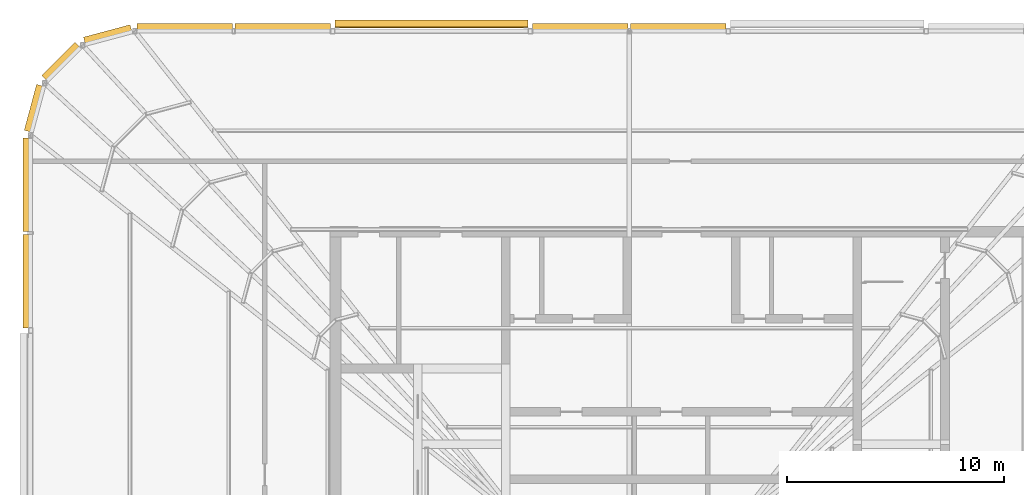
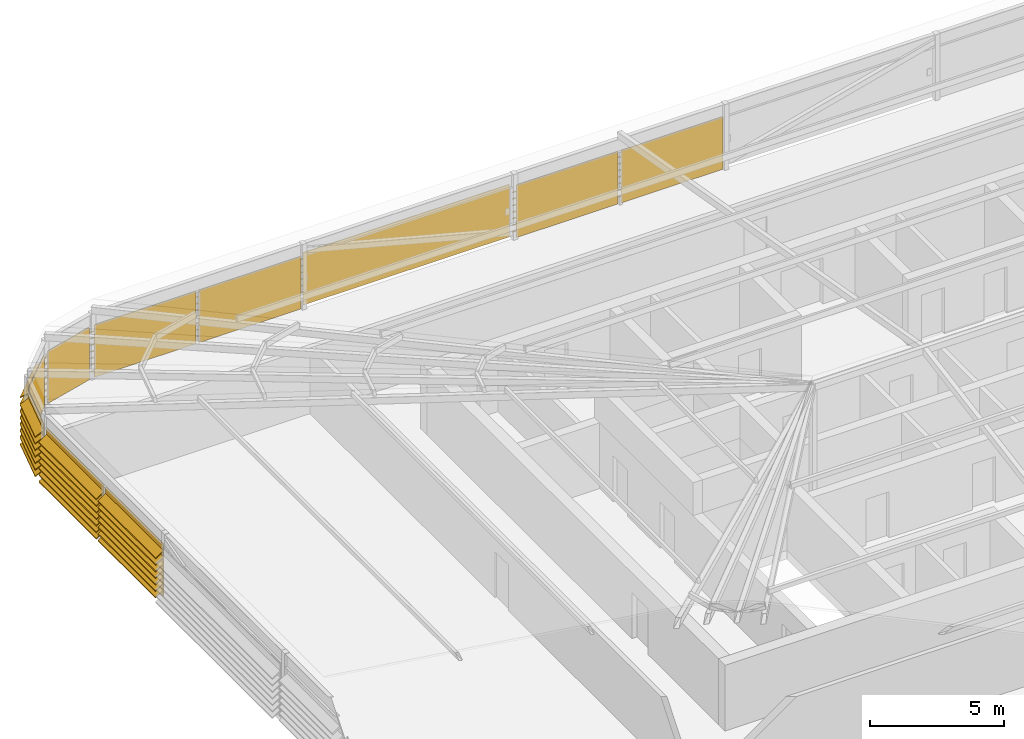
# One storey, part 45 of 46: 10 shading devices.
"""IFC4 building model written with IfcOpenShell, lengths in metres."""

from ifc_helpers import new_model, si_unit, direction, frame, origin, place, context, subcontext, project, spatial, polyline, outline, extrude, material, type_object, element, save


model = new_model("IFC4")

# Units and contexts
model_context = context("Model", 3, precision=1e-05, world=origin(), true_north=direction((0.0, 1.0)))
body_context = subcontext(model_context, "Body", "Model", "MODEL_VIEW")
ifc_project = project(units=[si_unit("LENGTHUNIT", "METRE"), si_unit("AREAUNIT", "SQUARE_METRE"), si_unit("VOLUMEUNIT", "CUBIC_METRE"), si_unit("PLANEANGLEUNIT", "RADIAN"), si_unit("MASSUNIT", "GRAM", prefix="KILO")], contexts=[model_context])

# Site, building, storey
site_placement = place(None, origin())
site = spatial("IfcSite", under=ifc_project, at=site_placement, CompositionType="ELEMENT")
building_placement = place(site_placement, origin())
building = spatial("IfcBuilding", under=site, at=building_placement, Name="Madar Terraces", CompositionType="ELEMENT")
storey_placement = place(building_placement, frame((0.0, 0.0, 317.300048828125)))
storey = spatial("IfcBuildingStorey", under=building, at=storey_placement, Name="L82", CompositionType="ELEMENT", Elevation=317.300048828125)

# Shading devices
ifc_material = material(Name="Aluminium, black anodised", Category="aluminium")
shading_device_type = type_object("IfcShadingDeviceType", Name="Crown louvre bank", PredefinedType="USERDEFINED", material=ifc_material)
shading_device_1_placement = place(storey_placement, frame((33.25830078125, 46.800048828125, 0.0), z_axis=(-1.0, 0.0, 0.0), x_axis=(0.0, -1.0, 0.0)))
element("IfcShadingDevice", 1, at=shading_device_1_placement, inside=storey, type_object=shading_device_type, Name="LOUVRE bank L82 18.1", ObjectType="LOUVRE", PredefinedType="USERDEFINED", context=body_context, shape_type="SweptSolid", body=[
    extrude(outline(polyline([(0.014892578125, 0.0), (-0.014892578125, 0.0), (-0.014892578125, 0.24951171875), (-0.3427734375, 0.02001953125), (-0.3427734375, 0.06884765625), (-0.014892578125, 0.29833984375), (-0.014892578125, 0.54931640625), (-0.3427734375, 0.320068359375), (-0.3427734375, 0.368896484375), (-0.014892578125, 0.59814453125), (-0.014892578125, 0.849365234375), (-0.3427734375, 0.6201171875), (-0.3427734375, 0.6689453125), (-0.014892578125, 0.898193359375), (-0.014892578125, 1.1494140625), (-0.3427734375, 0.919921875), (-0.3427734375, 0.96875), (-0.014892578125, 1.1982421875), (-0.014892578125, 1.449462890625), (-0.3427734375, 1.219970703125), (-0.3427734375, 1.268798828125), (-0.014892578125, 1.498291015625), (-0.014892578125, 1.74951171875), (-0.3427734375, 1.52001953125), (-0.3427734375, 1.56884765625), (-0.014892578125, 1.79833984375), (-0.014892578125, 2.04931640625), (-0.3427734375, 1.820068359375), (-0.3427734375, 1.868896484375), (-0.014892578125, 2.09814453125), (-0.014892578125, 2.39794921875), (0.014892578125, 2.39794921875), (0.014892578125, 0.0)])), origin(), (0.0, 0.0, 1.0), 4.394775390625),
])
shading_device_2_placement = place(storey_placement, frame((28.736572265625, 46.800048828125, 0.0), z_axis=(-1.0, 0.0, 0.0), x_axis=(0.0, -1.0, 0.0)))
element("IfcShadingDevice", 2, at=shading_device_2_placement, inside=storey, type_object=shading_device_type, Name="LOUVRE bank L82 18.2", ObjectType="LOUVRE", PredefinedType="USERDEFINED", context=body_context, shape_type="SweptSolid", body=[
    extrude(outline(polyline([(0.014892578125, 0.0), (-0.014892578125, 0.0), (-0.014892578125, 0.24951171875), (-0.3427734375, 0.02001953125), (-0.3427734375, 0.06884765625), (-0.014892578125, 0.29833984375), (-0.014892578125, 0.54931640625), (-0.3427734375, 0.320068359375), (-0.3427734375, 0.368896484375), (-0.014892578125, 0.59814453125), (-0.014892578125, 0.849365234375), (-0.3427734375, 0.6201171875), (-0.3427734375, 0.6689453125), (-0.014892578125, 0.898193359375), (-0.014892578125, 1.1494140625), (-0.3427734375, 0.919921875), (-0.3427734375, 0.96875), (-0.014892578125, 1.1982421875), (-0.014892578125, 1.449462890625), (-0.3427734375, 1.219970703125), (-0.3427734375, 1.268798828125), (-0.014892578125, 1.498291015625), (-0.014892578125, 1.74951171875), (-0.3427734375, 1.52001953125), (-0.3427734375, 1.56884765625), (-0.014892578125, 1.79833984375), (-0.014892578125, 2.04931640625), (-0.3427734375, 1.820068359375), (-0.3427734375, 1.868896484375), (-0.014892578125, 2.09814453125), (-0.014892578125, 2.39794921875), (0.014892578125, 2.39794921875), (0.014892578125, 0.0)])), origin(), (0.0, 0.0, 1.0), 4.39501953125),
])
shading_device_3_placement = place(storey_placement, frame((24.138427734375, 46.800048828125, 0.0), z_axis=(-1.0, 0.0, 0.0), x_axis=(0.0, -1.0, 0.0)))
element("IfcShadingDevice", 3, at=shading_device_3_placement, inside=storey, type_object=shading_device_type, Name="LOUVRE bank L82 19.1", ObjectType="LOUVRE", PredefinedType="USERDEFINED", context=body_context, shape_type="SweptSolid", body=[
    extrude(outline(polyline([(-0.156982421875, 0.0), (-0.18701171875, 0.0), (-0.18701171875, 0.24951171875), (-0.5146484375, 0.02001953125), (-0.5146484375, 0.06884765625), (-0.18701171875, 0.29833984375), (-0.18701171875, 0.54931640625), (-0.5146484375, 0.320068359375), (-0.5146484375, 0.368896484375), (-0.18701171875, 0.59814453125), (-0.18701171875, 0.849365234375), (-0.5146484375, 0.6201171875), (-0.5146484375, 0.6689453125), (-0.18701171875, 0.898193359375), (-0.18701171875, 1.1494140625), (-0.5146484375, 0.919921875), (-0.5146484375, 0.96875), (-0.18701171875, 1.1982421875), (-0.18701171875, 1.449462890625), (-0.5146484375, 1.219970703125), (-0.5146484375, 1.268798828125), (-0.18701171875, 1.498291015625), (-0.18701171875, 1.74951171875), (-0.5146484375, 1.52001953125), (-0.5146484375, 1.56884765625), (-0.18701171875, 1.79833984375), (-0.18701171875, 2.04931640625), (-0.5146484375, 1.820068359375), (-0.5146484375, 1.868896484375), (-0.18701171875, 2.09814453125), (-0.18701171875, 2.39794921875), (-0.156982421875, 2.39794921875), (-0.156982421875, 0.0)])), origin(), (0.0, 0.0, 1.0), 8.916748046875),
])
shading_device_4_placement = place(storey_placement, frame((15.018310546875, 46.800048828125, 0.0), z_axis=(-1.0, 0.0, 0.0), x_axis=(0.0, -1.0, 0.0)))
element("IfcShadingDevice", 4, at=shading_device_4_placement, inside=storey, type_object=shading_device_type, Name="LOUVRE bank L82 20.1", ObjectType="LOUVRE", PredefinedType="USERDEFINED", context=body_context, shape_type="SweptSolid", body=[
    extrude(outline(polyline([(0.014892578125, 0.0), (-0.014892578125, 0.0), (-0.014892578125, 0.24951171875), (-0.3427734375, 0.02001953125), (-0.3427734375, 0.06884765625), (-0.014892578125, 0.29833984375), (-0.014892578125, 0.54931640625), (-0.3427734375, 0.320068359375), (-0.3427734375, 0.368896484375), (-0.014892578125, 0.59814453125), (-0.014892578125, 0.849365234375), (-0.3427734375, 0.6201171875), (-0.3427734375, 0.6689453125), (-0.014892578125, 0.898193359375), (-0.014892578125, 1.1494140625), (-0.3427734375, 0.919921875), (-0.3427734375, 0.96875), (-0.014892578125, 1.1982421875), (-0.014892578125, 1.449462890625), (-0.3427734375, 1.219970703125), (-0.3427734375, 1.268798828125), (-0.014892578125, 1.498291015625), (-0.014892578125, 1.74951171875), (-0.3427734375, 1.52001953125), (-0.3427734375, 1.56884765625), (-0.014892578125, 1.79833984375), (-0.014892578125, 2.04931640625), (-0.3427734375, 1.820068359375), (-0.3427734375, 1.868896484375), (-0.014892578125, 2.09814453125), (-0.014892578125, 2.39794921875), (0.014892578125, 2.39794921875), (0.014892578125, 0.0)])), origin(), (0.0, 0.0, 1.0), 4.394775390625),
])
shading_device_5_placement = place(storey_placement, frame((10.49658203125, 46.800048828125, 0.0), z_axis=(-1.0, 0.0, 0.0), x_axis=(0.0, -1.0, 0.0)))
element("IfcShadingDevice", 5, at=shading_device_5_placement, inside=storey, type_object=shading_device_type, Name="LOUVRE bank L82 20.2", ObjectType="LOUVRE", PredefinedType="USERDEFINED", context=body_context, shape_type="SweptSolid", body=[
    extrude(outline(polyline([(0.014892578125, 0.0), (-0.014892578125, 0.0), (-0.014892578125, 0.24951171875), (-0.3427734375, 0.02001953125), (-0.3427734375, 0.06884765625), (-0.014892578125, 0.29833984375), (-0.014892578125, 0.54931640625), (-0.3427734375, 0.320068359375), (-0.3427734375, 0.368896484375), (-0.014892578125, 0.59814453125), (-0.014892578125, 0.849365234375), (-0.3427734375, 0.6201171875), (-0.3427734375, 0.6689453125), (-0.014892578125, 0.898193359375), (-0.014892578125, 1.1494140625), (-0.3427734375, 0.919921875), (-0.3427734375, 0.96875), (-0.014892578125, 1.1982421875), (-0.014892578125, 1.449462890625), (-0.3427734375, 1.219970703125), (-0.3427734375, 1.268798828125), (-0.014892578125, 1.498291015625), (-0.014892578125, 1.74951171875), (-0.3427734375, 1.52001953125), (-0.3427734375, 1.56884765625), (-0.014892578125, 1.79833984375), (-0.014892578125, 2.04931640625), (-0.3427734375, 1.820068359375), (-0.3427734375, 1.868896484375), (-0.014892578125, 2.09814453125), (-0.014892578125, 2.39794921875), (0.014892578125, 2.39794921875), (0.014892578125, 0.0)])), origin(), (0.0, 0.0, 1.0), 4.39501953125),
])
shading_device_6_placement = place(storey_placement, frame((5.87353515625, 46.76611328125, 0.0), z_axis=(-0.965935304808, -0.258783668197, 0.0), x_axis=(0.258783668197, -0.965935304808, 0.0)))
element("IfcShadingDevice", 6, at=shading_device_6_placement, inside=storey, type_object=shading_device_type, Name="LOUVRE bank L82 21.1", ObjectType="LOUVRE", PredefinedType="USERDEFINED", context=body_context, shape_type="SweptSolid", body=[
    extrude(outline(polyline([(0.014892578125, 0.0), (-0.014892578125, 0.0), (-0.014892578125, 0.24951171875), (-0.3427734375, 0.02001953125), (-0.3427734375, 0.06884765625), (-0.014892578125, 0.29833984375), (-0.014892578125, 0.54931640625), (-0.3427734375, 0.320068359375), (-0.3427734375, 0.368896484375), (-0.014892578125, 0.59814453125), (-0.014892578125, 0.849365234375), (-0.3427734375, 0.6201171875), (-0.3427734375, 0.6689453125), (-0.014892578125, 0.898193359375), (-0.014892578125, 1.1494140625), (-0.3427734375, 0.919921875), (-0.3427734375, 0.96875), (-0.014892578125, 1.1982421875), (-0.014892578125, 1.449462890625), (-0.3427734375, 1.219970703125), (-0.3427734375, 1.268798828125), (-0.014892578125, 1.498291015625), (-0.014892578125, 1.74951171875), (-0.3427734375, 1.52001953125), (-0.3427734375, 1.56884765625), (-0.014892578125, 1.79833984375), (-0.014892578125, 2.04931640625), (-0.3427734375, 1.820068359375), (-0.3427734375, 1.868896484375), (-0.014892578125, 2.09814453125), (-0.014892578125, 2.39794921875), (0.014892578125, 2.39794921875), (0.014892578125, 0.0)])), origin(), (0.0, 0.0, 1.0), 2.22265625),
])
shading_device_7_placement = place(storey_placement, frame((3.485595703125, 46.042724609375, 0.0), z_axis=(-0.707106781187, -0.707106781187, 0.0), x_axis=(0.707106781187, -0.707106781187, 0.0)))
element("IfcShadingDevice", 7, at=shading_device_7_placement, inside=storey, type_object=shading_device_type, Name="LOUVRE bank L82 22.1", ObjectType="LOUVRE", PredefinedType="USERDEFINED", context=body_context, shape_type="SweptSolid", body=[
    extrude(outline(polyline([(0.014892578125, 0.0), (-0.014892578125, 0.0), (-0.014892578125, 0.24951171875), (-0.3427734375, 0.02001953125), (-0.3427734375, 0.06884765625), (-0.014892578125, 0.29833984375), (-0.014892578125, 0.54931640625), (-0.3427734375, 0.320068359375), (-0.3427734375, 0.368896484375), (-0.014892578125, 0.59814453125), (-0.014892578125, 0.849365234375), (-0.3427734375, 0.6201171875), (-0.3427734375, 0.6689453125), (-0.014892578125, 0.898193359375), (-0.014892578125, 1.1494140625), (-0.3427734375, 0.919921875), (-0.3427734375, 0.96875), (-0.014892578125, 1.1982421875), (-0.014892578125, 1.449462890625), (-0.3427734375, 1.219970703125), (-0.3427734375, 1.268798828125), (-0.014892578125, 1.498291015625), (-0.014892578125, 1.74951171875), (-0.3427734375, 1.52001953125), (-0.3427734375, 1.56884765625), (-0.014892578125, 1.79833984375), (-0.014892578125, 2.04931640625), (-0.3427734375, 1.820068359375), (-0.3427734375, 1.868896484375), (-0.014892578125, 2.09814453125), (-0.014892578125, 2.39794921875), (0.014892578125, 2.39794921875), (0.014892578125, 0.0)])), origin(), (0.0, 0.0, 1.0), 2.161376953125),
])
shading_device_8_placement = place(storey_placement, frame((1.804443359375, 44.256103515625, 0.0), z_axis=(-0.258788169352, -0.965934098893, 0.0), x_axis=(0.965934098893, -0.258788169352, 0.0)))
element("IfcShadingDevice", 8, at=shading_device_8_placement, inside=storey, type_object=shading_device_type, Name="LOUVRE bank L82 23.1", ObjectType="LOUVRE", PredefinedType="USERDEFINED", context=body_context, shape_type="SweptSolid", body=[
    extrude(outline(polyline([(0.014892578125, 0.0), (-0.014892578125, 0.0), (-0.014892578125, 0.24951171875), (-0.3427734375, 0.02001953125), (-0.3427734375, 0.06884765625), (-0.014892578125, 0.29833984375), (-0.014892578125, 0.54931640625), (-0.3427734375, 0.320068359375), (-0.3427734375, 0.368896484375), (-0.014892578125, 0.59814453125), (-0.014892578125, 0.849365234375), (-0.3427734375, 0.6201171875), (-0.3427734375, 0.6689453125), (-0.014892578125, 0.898193359375), (-0.014892578125, 1.1494140625), (-0.3427734375, 0.919921875), (-0.3427734375, 0.96875), (-0.014892578125, 1.1982421875), (-0.014892578125, 1.449462890625), (-0.3427734375, 1.219970703125), (-0.3427734375, 1.268798828125), (-0.014892578125, 1.498291015625), (-0.014892578125, 1.74951171875), (-0.3427734375, 1.52001953125), (-0.3427734375, 1.56884765625), (-0.014892578125, 1.79833984375), (-0.014892578125, 2.04931640625), (-0.3427734375, 1.820068359375), (-0.3427734375, 1.868896484375), (-0.014892578125, 2.09814453125), (-0.014892578125, 2.39794921875), (0.014892578125, 2.39794921875), (0.014892578125, 0.0)])), origin(), (0.0, 0.0, 1.0), 2.186767578125),
])
for number, where, z_axis, x_axis, name in (
    (9, (1.199951171875, 41.873046875, 0.0), (0.0, -1.0, 0.0), (1.0, 0.0, 0.0), "LOUVRE bank L82 24.1"),
    (10, (1.199951171875, 37.4365234375, 0.0), (0.0, -1.0, 0.0), (1.0, 0.0, 0.0), "LOUVRE bank L82 24.2"),
):
    element("IfcShadingDevice", number, at=place(storey_placement, frame(where, z_axis=z_axis, x_axis=x_axis)), inside=storey, type_object=shading_device_type, Name=name, ObjectType="LOUVRE", PredefinedType="USERDEFINED", context=body_context, shape_type="SweptSolid", body=[
        extrude(outline(polyline([(0.014892578125, 0.0), (-0.014892578125, 0.0), (-0.014892578125, 0.24951171875), (-0.3427734375, 0.02001953125), (-0.3427734375, 0.06884765625), (-0.014892578125, 0.29833984375), (-0.014892578125, 0.54931640625), (-0.3427734375, 0.320068359375), (-0.3427734375, 0.368896484375), (-0.014892578125, 0.59814453125), (-0.014892578125, 0.849365234375), (-0.3427734375, 0.6201171875), (-0.3427734375, 0.6689453125), (-0.014892578125, 0.898193359375), (-0.014892578125, 1.1494140625), (-0.3427734375, 0.919921875), (-0.3427734375, 0.96875), (-0.014892578125, 1.1982421875), (-0.014892578125, 1.449462890625), (-0.3427734375, 1.219970703125), (-0.3427734375, 1.268798828125), (-0.014892578125, 1.498291015625), (-0.014892578125, 1.74951171875), (-0.3427734375, 1.52001953125), (-0.3427734375, 1.56884765625), (-0.014892578125, 1.79833984375), (-0.014892578125, 2.04931640625), (-0.3427734375, 1.820068359375), (-0.3427734375, 1.868896484375), (-0.014892578125, 2.09814453125), (-0.014892578125, 2.39794921875), (0.014892578125, 2.39794921875), (0.014892578125, 0.0)])), origin(), (0.0, 0.0, 1.0), 4.3095703125),
    ])

save(model, "model.ifc")
